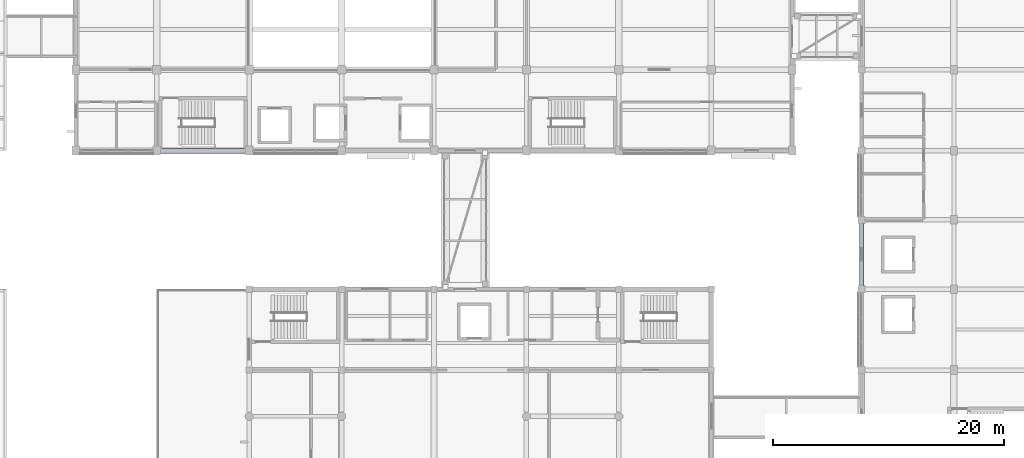
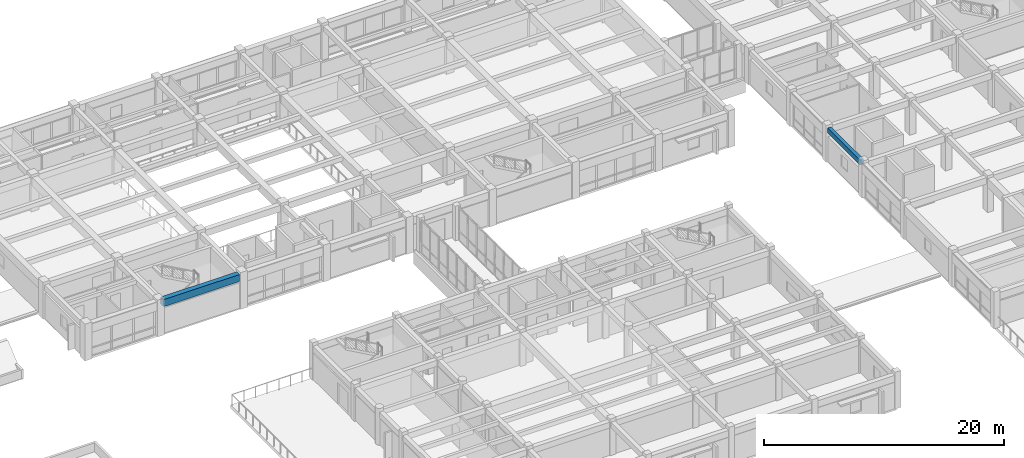
# One storey, part 8 of 42: 2 beams.
"""IFC4 building model written with IfcOpenShell, lengths in metres."""

from ifc_helpers import new_model, si_unit, direction, frame, origin, origin_2d, place, context, subcontext, project, spatial, rectangle, extrude, material, material_profile, profile_set, type_object, element, save


model = new_model("IFC4")

# Units and contexts
model_context = context("Model", 3, precision=1e-05, world=origin(), true_north=direction((0.0, 1.0)))
body_context = subcontext(model_context, "Body", "Model", "MODEL_VIEW")
ifc_project = project(units=[si_unit("LENGTHUNIT", "METRE"), si_unit("AREAUNIT", "SQUARE_METRE"), si_unit("VOLUMEUNIT", "CUBIC_METRE"), si_unit("PLANEANGLEUNIT", "RADIAN"), si_unit("MASSUNIT", "GRAM", prefix="KILO")], contexts=[model_context])

# Site, building, storey
site_placement = place(None, origin())
site = spatial("IfcSite", under=ifc_project, at=site_placement, CompositionType="ELEMENT")
building_placement = place(site_placement, origin())
building = spatial("IfcBuilding", under=site, at=building_placement, Name="Naurynzar Civic Courthouse", CompositionType="ELEMENT")
storey_placement = place(building_placement, frame((0.0, 0.0, 18.300048828125)))
storey = spatial("IfcBuildingStorey", under=building, at=storey_placement, Name="L05", CompositionType="ELEMENT", Elevation=18.300048828125)

# Beams
ifc_material_1 = material(Name="Concrete C40/50", Category="concrete")
ifc_material_profile_1 = material_profile(ifc_material_1, rectangle(XDim=0.35009765625, YDim=0.5, at=origin_2d()), Name="RCB 350x500")
ifc_profile_set_1 = profile_set([ifc_material_profile_1], Name="Concrete C40/50")
beam_type_1 = type_object("IfcBeamType", Name="BM-RC-350x500", PredefinedType="BEAM", material=ifc_profile_set_1)
beam_1_placement = place(storey_placement, frame((130.0, 32.300048828125, 3.219970703125), z_axis=(0.0, 1.0, 0.0), x_axis=(-1.0, 0.0, 0.0)))
element("IfcBeam", 1, at=beam_1_placement, inside=storey, type_object=beam_type_1, Name="V5 girder Y-2666 L05", PredefinedType="BEAM", context=body_context, shape_type="SweptSolid", body=[
    extrude(rectangle(XDim=0.35009765625, YDim=0.5, at=origin_2d()), origin(), (0.0, 0.0, 1.0), 5.39990234375),
])
ifc_material_2 = material(Name="Concrete C40/50", Category="concrete")
ifc_material_profile_2 = material_profile(ifc_material_2, rectangle(XDim=0.47509765625, YDim=0.72509765625, at=origin_2d()), Name="RCB 475x725")
ifc_profile_set_2 = profile_set([ifc_material_profile_2], Name="Concrete C40/50")
beam_type_2 = type_object("IfcBeamType", Name="BM-RC-475x725", PredefinedType="SPANDREL", material=ifc_profile_set_2)
beam_2_placement = place(storey_placement, frame((69.324951171875, 44.0, 3.107421875), z_axis=(1.0, 0.0, 0.0), x_axis=(0.0, 1.0, 0.0)))
element("IfcBeam", 2, at=beam_2_placement, inside=storey, type_object=beam_type_2, Name="V2 beam X-743 L05", PredefinedType="SPANDREL", context=body_context, shape_type="SweptSolid", body=[
    extrude(rectangle(XDim=0.47509765625, YDim=0.72509765625, at=origin_2d()), origin(), (0.0, 0.0, 1.0), 7.35009765625),
])

save(model, "model.ifc")
